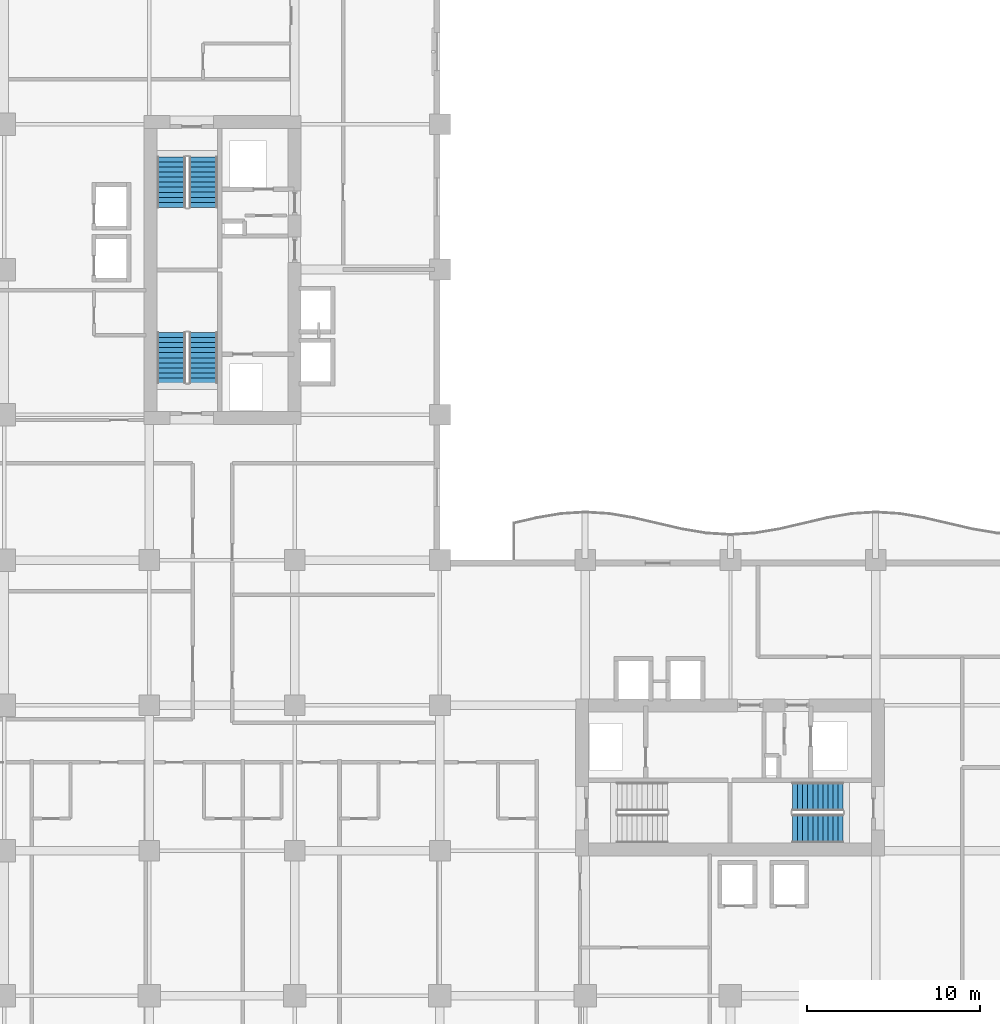
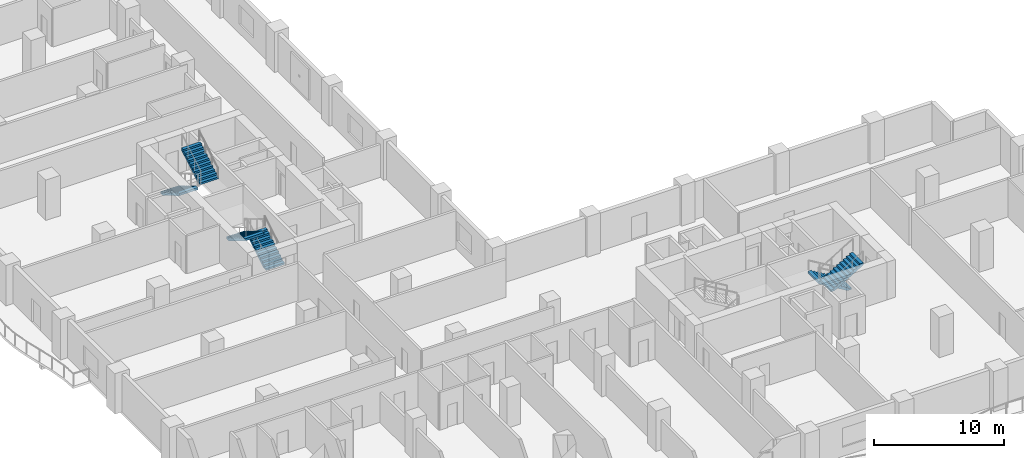
# One storey, part 14 of 20: 6 stair flights, 3 elements without a shape of their own.
"""IFC4 building model written with IfcOpenShell, lengths in metres."""

from ifc_helpers import new_model, si_unit, direction, frame, origin, place, context, subcontext, project, spatial, polyline, outline, extrude, material, type_object, element, aggregate, save


model = new_model("IFC4")

# Units and contexts
model_context = context("Model", 3, precision=1e-05, world=origin(), true_north=direction((0.0, 1.0)))
body_context = subcontext(model_context, "Body", "Model", "MODEL_VIEW")
ifc_project = project(units=[si_unit("LENGTHUNIT", "METRE"), si_unit("AREAUNIT", "SQUARE_METRE"), si_unit("VOLUMEUNIT", "CUBIC_METRE"), si_unit("PLANEANGLEUNIT", "RADIAN"), si_unit("MASSUNIT", "GRAM", prefix="KILO")], contexts=[model_context])

# Site, building, storey
site_placement = place(None, origin())
site = spatial("IfcSite", under=ifc_project, at=site_placement, CompositionType="ELEMENT")
building_placement = place(site_placement, origin())
building = spatial("IfcBuilding", under=site, at=building_placement, Name="Koriwani Terraces Tower", CompositionType="ELEMENT")
storey_placement = place(building_placement, frame((0.0, 0.0, 126.60009765625)))
storey = spatial("IfcBuildingStorey", under=building, at=storey_placement, Name="L30", CompositionType="ELEMENT", Elevation=126.60009765625)

# Stair, stair flights
ifc_material = material(Name="Concrete C40/50", Category="concrete")
stair_type = type_object("IfcStairType", Name="STAIR_CORE_DOGLEG_1650", PredefinedType="TWO_STRAIGHT_RUN_STAIR", material=ifc_material)
stair_1_placement = place(storey_placement, origin())
stair_1 = element("IfcStair", 1, at=stair_1_placement, inside=storey, type_object=stair_type, Name="L30 West Core Exit Stair 1", PredefinedType="HALF_TURN_STAIR")
stair_flight_type = type_object("IfcStairFlightType", Name="STAIR_FLIGHT_RC_1650", PredefinedType="STRAIGHT", material=ifc_material)
stair_flight_1_placement = place(storey_placement, frame((19.925048828125, 43.85009765625, 0.0), z_axis=(0.0, 0.0, 1.0), x_axis=(0.0, 1.0, 0.0)))
stair_flight_1 = element("IfcStairFlight", 2, at=stair_flight_1_placement, type_object=stair_flight_type, Name="ST-W1 flight 1", NumberOfRisers=11, NumberOfTreads=10, PredefinedType="STRAIGHT", RiserHeight=0.172727273, TreadLength=0.29, context=body_context, shape_type="SweptSolid", body=[
    extrude(outline(polyline([(0.0, 0.0), (0.0, 0.172607421875), (0.2900390625, 0.172607421875), (0.2900390625, 0.345458984375), (0.580078125, 0.345458984375), (0.580078125, 0.51806640625), (0.8701171875, 0.51806640625), (0.8701171875, 0.69091796875), (1.159912109375, 0.69091796875), (1.159912109375, 0.863525390625), (1.449951171875, 0.863525390625), (1.449951171875, 1.036376953125), (1.739990234375, 1.036376953125), (1.739990234375, 1.208984375), (2.030029296875, 1.208984375), (2.030029296875, 1.3818359375), (2.320068359375, 1.3818359375), (2.320068359375, 1.554443359375), (2.610107421875, 1.554443359375), (2.610107421875, 1.727294921875), (2.89990234375, 1.727294921875), (2.89990234375, 1.89990234375), (2.89990234375, 1.517822265625), (0.3515625, 0.0), (0.0, 0.0)])), frame((0.0, 0.824951171875, 0.0), z_axis=(0.0, -1.0, 0.0), x_axis=(1.0, 0.0, 0.0)), (0.0, 0.0, 1.0), 1.64990234375),
])
stair_flight_2_placement = place(storey_placement, frame((18.074951171875, 46.75, 1.89990234375), z_axis=(0.0, 0.0, 1.0), x_axis=(0.0, -1.0, 0.0)))
stair_flight_2 = element("IfcStairFlight", 3, at=stair_flight_2_placement, type_object=stair_flight_type, Name="ST-W1 flight 2", NumberOfRisers=11, NumberOfTreads=10, PredefinedType="STRAIGHT", RiserHeight=0.172727273, TreadLength=0.29, context=body_context, shape_type="SweptSolid", body=[
    extrude(outline(polyline([(0.0, 0.0), (0.0, 0.172607421875), (0.2900390625, 0.172607421875), (0.2900390625, 0.345458984375), (0.580078125, 0.345458984375), (0.580078125, 0.51806640625), (0.8701171875, 0.51806640625), (0.8701171875, 0.69091796875), (1.159912109375, 0.69091796875), (1.159912109375, 0.863525390625), (1.449951171875, 0.863525390625), (1.449951171875, 1.036376953125), (1.739990234375, 1.036376953125), (1.739990234375, 1.208984375), (2.030029296875, 1.208984375), (2.030029296875, 1.3818359375), (2.320068359375, 1.3818359375), (2.320068359375, 1.554443359375), (2.610107421875, 1.554443359375), (2.610107421875, 1.727294921875), (2.89990234375, 1.727294921875), (2.89990234375, 1.89990234375), (2.89990234375, 1.517822265625), (0.3515625, 0.0), (0.0, 0.0)])), frame((0.0, 0.824951171875, 0.0), z_axis=(0.0, -1.0, 0.0), x_axis=(1.0, 0.0, 0.0)), (0.0, 0.0, 1.0), 1.64990234375),
])
aggregate(stair_1, [stair_flight_1, stair_flight_2])

stair_2_placement = place(storey_placement, origin())
stair_2 = element("IfcStair", 4, at=stair_2_placement, inside=storey, type_object=stair_type, Name="L30 West Core Exit Stair 2", PredefinedType="HALF_TURN_STAIR")
stair_flight_3_placement = place(storey_placement, frame((18.074951171875, 56.89990234375, 0.0), z_axis=(0.0, 0.0, 1.0), x_axis=(0.0, -1.0, 0.0)))
stair_flight_3 = element("IfcStairFlight", 5, at=stair_flight_3_placement, type_object=stair_flight_type, Name="ST-W2 flight 1", NumberOfRisers=11, NumberOfTreads=10, PredefinedType="STRAIGHT", RiserHeight=0.172727273, TreadLength=0.29, context=body_context, shape_type="SweptSolid", body=[
    extrude(outline(polyline([(0.0, 0.0), (0.0, 0.172607421875), (0.2900390625, 0.172607421875), (0.2900390625, 0.345458984375), (0.580078125, 0.345458984375), (0.580078125, 0.51806640625), (0.8701171875, 0.51806640625), (0.8701171875, 0.69091796875), (1.159912109375, 0.69091796875), (1.159912109375, 0.863525390625), (1.449951171875, 0.863525390625), (1.449951171875, 1.036376953125), (1.739990234375, 1.036376953125), (1.739990234375, 1.208984375), (2.030029296875, 1.208984375), (2.030029296875, 1.3818359375), (2.320068359375, 1.3818359375), (2.320068359375, 1.554443359375), (2.610107421875, 1.554443359375), (2.610107421875, 1.727294921875), (2.89990234375, 1.727294921875), (2.89990234375, 1.89990234375), (2.89990234375, 1.517822265625), (0.3515625, 0.0), (0.0, 0.0)])), frame((0.0, 0.824951171875, 0.0), z_axis=(0.0, -1.0, 0.0), x_axis=(1.0, 0.0, 0.0)), (0.0, 0.0, 1.0), 1.64990234375),
])
stair_flight_4_placement = place(storey_placement, frame((19.925048828125, 54.0, 1.89990234375), z_axis=(0.0, 0.0, 1.0), x_axis=(0.0, 1.0, 0.0)))
stair_flight_4 = element("IfcStairFlight", 6, at=stair_flight_4_placement, type_object=stair_flight_type, Name="ST-W2 flight 2", NumberOfRisers=11, NumberOfTreads=10, PredefinedType="STRAIGHT", RiserHeight=0.172727273, TreadLength=0.29, context=body_context, shape_type="SweptSolid", body=[
    extrude(outline(polyline([(0.0, 0.0), (0.0, 0.172607421875), (0.2900390625, 0.172607421875), (0.2900390625, 0.345458984375), (0.580078125, 0.345458984375), (0.580078125, 0.51806640625), (0.8701171875, 0.51806640625), (0.8701171875, 0.69091796875), (1.159912109375, 0.69091796875), (1.159912109375, 0.863525390625), (1.449951171875, 0.863525390625), (1.449951171875, 1.036376953125), (1.739990234375, 1.036376953125), (1.739990234375, 1.208984375), (2.030029296875, 1.208984375), (2.030029296875, 1.3818359375), (2.320068359375, 1.3818359375), (2.320068359375, 1.554443359375), (2.610107421875, 1.554443359375), (2.610107421875, 1.727294921875), (2.89990234375, 1.727294921875), (2.89990234375, 1.89990234375), (2.89990234375, 1.517822265625), (0.3515625, 0.0), (0.0, 0.0)])), frame((0.0, 0.824951171875, 0.0), z_axis=(0.0, -1.0, 0.0), x_axis=(1.0, 0.0, 0.0)), (0.0, 0.0, 1.0), 1.64990234375),
])
aggregate(stair_2, [stair_flight_3, stair_flight_4])

stair_3_placement = place(storey_placement, origin())
stair_3 = element("IfcStair", 7, at=stair_3_placement, inside=storey, type_object=stair_type, Name="L30 East Core Exit Stair 2", PredefinedType="HALF_TURN_STAIR")
stair_flight_5_placement = place(storey_placement, frame((56.89990234375, 19.925048828125, 0.0), z_axis=(0.0, 0.0, 1.0), x_axis=(-1.0, 0.0, 0.0)))
stair_flight_5 = element("IfcStairFlight", 8, at=stair_flight_5_placement, type_object=stair_flight_type, Name="ST-E2 flight 1", NumberOfRisers=11, NumberOfTreads=10, PredefinedType="STRAIGHT", RiserHeight=0.172727273, TreadLength=0.29, context=body_context, shape_type="SweptSolid", body=[
    extrude(outline(polyline([(0.0, 0.0), (0.0, 0.172607421875), (0.2900390625, 0.172607421875), (0.2900390625, 0.345458984375), (0.580078125, 0.345458984375), (0.580078125, 0.51806640625), (0.8701171875, 0.51806640625), (0.8701171875, 0.69091796875), (1.159912109375, 0.69091796875), (1.159912109375, 0.863525390625), (1.449951171875, 0.863525390625), (1.449951171875, 1.036376953125), (1.739990234375, 1.036376953125), (1.739990234375, 1.208984375), (2.030029296875, 1.208984375), (2.030029296875, 1.3818359375), (2.320068359375, 1.3818359375), (2.320068359375, 1.554443359375), (2.610107421875, 1.554443359375), (2.610107421875, 1.727294921875), (2.89990234375, 1.727294921875), (2.89990234375, 1.89990234375), (2.89990234375, 1.517822265625), (0.3515625, 0.0), (0.0, 0.0)])), frame((0.0, 0.824951171875, 0.0), z_axis=(0.0, -1.0, 0.0), x_axis=(1.0, 0.0, 0.0)), (0.0, 0.0, 1.0), 1.64990234375),
])
stair_flight_6_placement = place(storey_placement, frame((54.0, 18.074951171875, 1.89990234375), z_axis=(0.0, 0.0, 1.0), x_axis=(1.0, 0.0, 0.0)))
stair_flight_6 = element("IfcStairFlight", 9, at=stair_flight_6_placement, type_object=stair_flight_type, Name="ST-E2 flight 2", NumberOfRisers=11, NumberOfTreads=10, PredefinedType="STRAIGHT", RiserHeight=0.172727273, TreadLength=0.29, context=body_context, shape_type="SweptSolid", body=[
    extrude(outline(polyline([(0.0, 0.0), (0.0, 0.172607421875), (0.2900390625, 0.172607421875), (0.2900390625, 0.345458984375), (0.580078125, 0.345458984375), (0.580078125, 0.51806640625), (0.8701171875, 0.51806640625), (0.8701171875, 0.69091796875), (1.159912109375, 0.69091796875), (1.159912109375, 0.863525390625), (1.449951171875, 0.863525390625), (1.449951171875, 1.036376953125), (1.739990234375, 1.036376953125), (1.739990234375, 1.208984375), (2.030029296875, 1.208984375), (2.030029296875, 1.3818359375), (2.320068359375, 1.3818359375), (2.320068359375, 1.554443359375), (2.610107421875, 1.554443359375), (2.610107421875, 1.727294921875), (2.89990234375, 1.727294921875), (2.89990234375, 1.89990234375), (2.89990234375, 1.517822265625), (0.3515625, 0.0), (0.0, 0.0)])), frame((0.0, 0.824951171875, 0.0), z_axis=(0.0, -1.0, 0.0), x_axis=(1.0, 0.0, 0.0)), (0.0, 0.0, 1.0), 1.64990234375),
])
aggregate(stair_3, [stair_flight_5, stair_flight_6])

save(model, "model.ifc")
